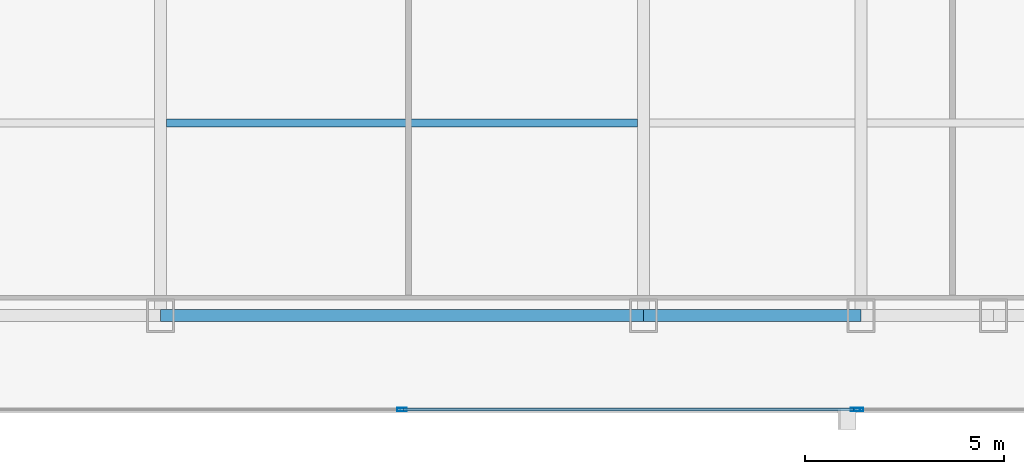
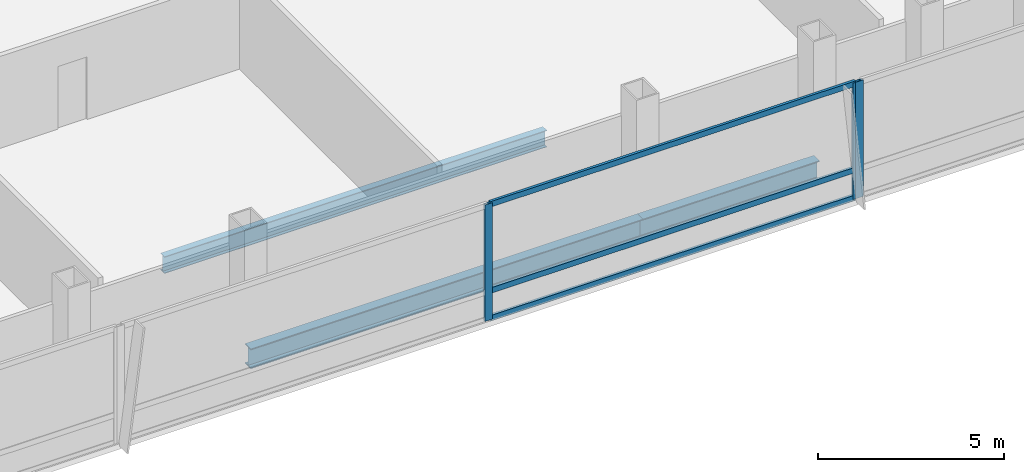
# One storey, part 13 of 30: 6 members, 3 beams, 2 elements without a shape of their own.
"""IFC4 building model written with IfcOpenShell, lengths in metres."""

from ifc_helpers import new_model, si_unit, direction, frame, origin, origin_2d, place, context, subcontext, project, spatial, hollow_rectangle, i_section, extrude, material, material_profile, profile_set, type_object, element, aggregate, save


model = new_model("IFC4")

# Units and contexts
model_context = context("Model", 3, precision=1e-05, world=origin(), true_north=direction((0.0, 1.0)))
body_context = subcontext(model_context, "Body", "Model", "MODEL_VIEW")
ifc_project = project(units=[si_unit("LENGTHUNIT", "METRE"), si_unit("AREAUNIT", "SQUARE_METRE"), si_unit("VOLUMEUNIT", "CUBIC_METRE"), si_unit("PLANEANGLEUNIT", "RADIAN"), si_unit("MASSUNIT", "GRAM", prefix="KILO")], contexts=[model_context])

# Site, building, storey
site_placement = place(None, origin())
site = spatial("IfcSite", under=ifc_project, at=site_placement, CompositionType="ELEMENT")
building_placement = place(site_placement, origin())
building = spatial("IfcBuilding", under=site, at=building_placement, Name="Khoronbel Lancet Exchange", CompositionType="ELEMENT")
storey_placement = place(building_placement, frame((0.0, 0.0, 98.60009765625)))
storey = spatial("IfcBuildingStorey", under=building, at=storey_placement, Name="L23", CompositionType="ELEMENT", Elevation=98.60009765625)

# Beams
ifc_material_1 = material(Name="Steel S355", Category="steel")
ifc_material_profile_1 = material_profile(ifc_material_1, i_section(OverallWidth=0.2099609375, OverallDepth=0.550048828125, WebThickness=0.010986328125, FlangeThickness=0.01708984375, at=origin_2d()), Name="IPE 550")
ifc_profile_set_1 = profile_set([ifc_material_profile_1], Name="Steel S355")
beam_type_1 = type_object("IfcBeamType", Name="BM-BJ2", PredefinedType="JOIST", material=ifc_profile_set_1)
beam_1_placement = place(storey_placement, frame((30.52490234375, 15.0, -0.455078125), z_axis=(1.0, 0.0, 0.0), x_axis=(0.0, 1.0, 0.0)))
element("IfcBeam", 1, at=beam_1_placement, inside=storey, type_object=beam_type_1, Name="Level L23 secondary composite joist J03", PredefinedType="JOIST", context=body_context, shape_type="SweptSolid", body=[
    extrude(i_section(OverallWidth=0.2099609375, OverallDepth=0.550048828125, WebThickness=0.010986328125, FlangeThickness=0.01708984375, at=origin_2d()), origin(), (0.0, 0.0, 1.0), 11.85009765625),
])
ifc_material_profile_2 = material_profile(ifc_material_1, i_section(OverallWidth=0.300048828125, OverallDepth=0.64990234375, WebThickness=0.01611328125, FlangeThickness=0.031005859375, at=origin_2d()), Name="HEB 650")
ifc_profile_set_2 = profile_set([ifc_material_profile_2], Name="Steel S355")
beam_type_2 = type_object("IfcBeamType", Name="BM-BSP1", PredefinedType="SPANDREL", material=ifc_profile_set_2)
beam_2_placement = place(storey_placement, frame((30.375, 10.14990234375, -0.505126953125), z_axis=(1.0, 0.0, 0.0), x_axis=(0.0, 1.0, 0.0)))
element("IfcBeam", 2, at=beam_2_placement, inside=storey, type_object=beam_type_2, Name="Level L23 perimeter spandrel beam SP05", PredefinedType="SPANDREL", context=body_context, shape_type="SweptSolid", body=[
    extrude(i_section(OverallWidth=0.300048828125, OverallDepth=0.64990234375, WebThickness=0.01611328125, FlangeThickness=0.031005859375, at=origin_2d()), origin(), (0.0, 0.0, 1.0), 12.14990234375),
])
beam_3_placement = place(storey_placement, frame((42.52490234375, 10.14990234375, -0.505126953125), z_axis=(1.0, 0.0, 0.0), x_axis=(0.0, 1.0, 0.0)))
element("IfcBeam", 3, at=beam_3_placement, inside=storey, type_object=beam_type_2, Name="Level L23 perimeter spandrel beam SP06", PredefinedType="SPANDREL", context=body_context, shape_type="SweptSolid", body=[
    extrude(i_section(OverallWidth=0.300048828125, OverallDepth=0.64990234375, WebThickness=0.01611328125, FlangeThickness=0.031005859375, at=origin_2d()), origin(), (0.0, 0.0, 1.0), 5.47509765625),
])

# Curtain wall, members
ifc_material_2 = material(Name="Low-E Solar Control Insulating Glass", Category="glass")
curtain_wall_type = type_object("IfcCurtainWallType", Name="CW-2", PredefinedType="NOTDEFINED", material=ifc_material_2)
curtain_wall_1_placement = place(storey_placement, origin())
curtain_wall_1 = element("IfcCurtainWall", 4, at=curtain_wall_1_placement, inside=storey, type_object=curtain_wall_type, Name="Unitised curtain wall CW-L23-SCV", PredefinedType="NOTDEFINED")
ifc_material_3 = material(Name="Bronze-Anodised Aluminium 6063-T6", Category="aluminium")
ifc_material_profile_3 = material_profile(ifc_material_3, hollow_rectangle(XDim=0.0849609375, YDim=0.239990234375, WallThickness=0.006103515625, at=origin_2d()), Name="ALU MULLION 85x240")
ifc_profile_set_3 = profile_set([ifc_material_profile_3], Name="Bronze-Anodised Aluminium 6063-T6")
member_type_1 = type_object("IfcMemberType", Name="MEM-CWM1", PredefinedType="MULLION", material=ifc_profile_set_3)
member_1_placement = place(storey_placement, frame((36.449951171875, 7.7900390625, 0.0), z_axis=(0.0, 0.0, 1.0), x_axis=(0.0, 1.0, 0.0)))
member_1 = element("IfcMember", 5, at=member_1_placement, type_object=member_type_1, Name="CW2 mullion 2", PredefinedType="MULLION", context=body_context, shape_type="SweptSolid", body=[
    extrude(hollow_rectangle(XDim=0.0849609375, YDim=0.239990234375, WallThickness=0.006103515625, at=origin_2d()), origin(), (0.0, 0.0, 1.0), 3.81982421875),
])
member_2_placement = place(storey_placement, frame((47.857421875, 7.7900390625, 0.0), z_axis=(0.0, 0.0, 1.0), x_axis=(0.0, 1.0, 0.0)))
member_2 = element("IfcMember", 6, at=member_2_placement, type_object=member_type_1, Name="CW2 mullion 3", PredefinedType="MULLION", context=body_context, shape_type="SweptSolid", body=[
    extrude(hollow_rectangle(XDim=0.0849609375, YDim=0.239990234375, WallThickness=0.006103515625, at=origin_2d()), origin(), (0.0, 0.0, 1.0), 3.81982421875),
])

# Curtain wall, member
curtain_wall_2_placement = place(storey_placement, origin())
curtain_wall_2 = element("IfcCurtainWall", 7, at=curtain_wall_2_placement, inside=storey, type_object=curtain_wall_type, Name="Unitised curtain wall CW-L23-SEB", PredefinedType="NOTDEFINED")
member_3_placement = place(storey_placement, frame((47.9423828125, 7.7900390625, 0.0), z_axis=(0.0, 0.0, 1.0), x_axis=(0.0, 1.0, 0.0)))
member_3 = element("IfcMember", 8, at=member_3_placement, type_object=member_type_1, Name="CW2 mullion 1", PredefinedType="MULLION", context=body_context, shape_type="SweptSolid", body=[
    extrude(hollow_rectangle(XDim=0.0849609375, YDim=0.239990234375, WallThickness=0.006103515625, at=origin_2d()), origin(), (0.0, 0.0, 1.0), 3.81982421875),
])
aggregate(curtain_wall_2, [member_3])

# Member
ifc_material_profile_4 = material_profile(ifc_material_3, hollow_rectangle(XDim=0.0849609375, YDim=0.179931640625, WallThickness=0.0048828125, at=origin_2d()), Name="ALU TRANSOM 85x180")
ifc_profile_set_4 = profile_set([ifc_material_profile_4], Name="Bronze-Anodised Aluminium 6063-T6")
member_type_2 = type_object("IfcMemberType", Name="MEM-CWT1", PredefinedType="USERDEFINED", material=ifc_profile_set_4)
member_4_placement = place(storey_placement, frame((36.492431640625, 7.7900390625, 0.04248046875), z_axis=(1.0, 0.0, 0.0), x_axis=(0.0, 1.0, 0.0)))
member_4 = element("IfcMember", 9, at=member_4_placement, type_object=member_type_2, Name="CW2 transom 2.1", ObjectType="TRANSOM", PredefinedType="USERDEFINED", context=body_context, shape_type="SweptSolid", body=[
    extrude(hollow_rectangle(XDim=0.0849609375, YDim=0.179931640625, WallThickness=0.0048828125, at=origin_2d()), origin(), (0.0, 0.0, 1.0), 11.322509765625),
])

member_5_placement = place(storey_placement, frame((36.492431640625, 7.7900390625, 0.949951171875), z_axis=(1.0, 0.0, 0.0), x_axis=(0.0, 1.0, 0.0)))
member_5 = element("IfcMember", 10, at=member_5_placement, type_object=member_type_2, Name="CW2 transom 2.2", ObjectType="TRANSOM", PredefinedType="USERDEFINED", context=body_context, shape_type="SweptSolid", body=[
    extrude(hollow_rectangle(XDim=0.0849609375, YDim=0.179931640625, WallThickness=0.0048828125, at=origin_2d()), origin(), (0.0, 0.0, 1.0), 11.322509765625),
])

member_6_placement = place(storey_placement, frame((36.492431640625, 7.7900390625, 3.77734375), z_axis=(1.0, 0.0, 0.0), x_axis=(0.0, 1.0, 0.0)))
member_6 = element("IfcMember", 11, at=member_6_placement, type_object=member_type_2, Name="CW2 transom 2.3", ObjectType="TRANSOM", PredefinedType="USERDEFINED", context=body_context, shape_type="SweptSolid", body=[
    extrude(hollow_rectangle(XDim=0.0849609375, YDim=0.179931640625, WallThickness=0.0048828125, at=origin_2d()), origin(), (0.0, 0.0, 1.0), 11.322509765625),
])

aggregate(curtain_wall_1, [member_1, member_2, member_4, member_5, member_6])

save(model, "model.ifc")
